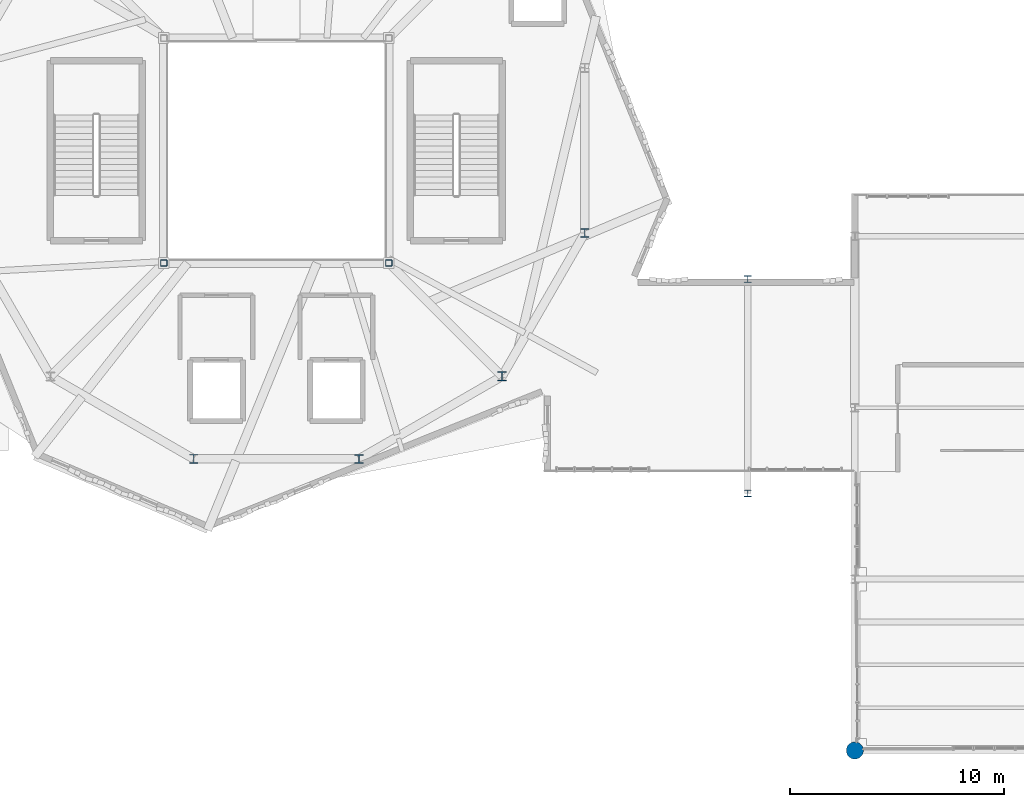
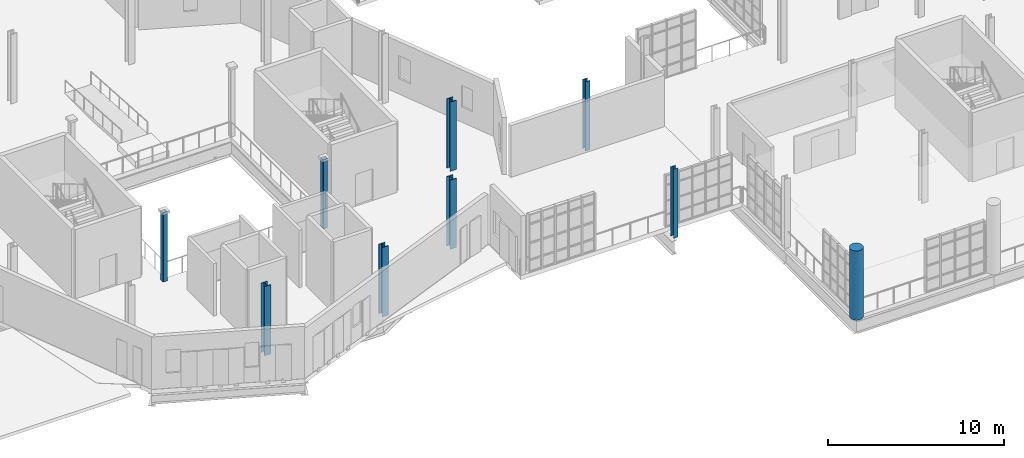
# One storey, part 5 of 122: 9 columns.
"""IFC4 building model written with IfcOpenShell, lengths in metres."""

from ifc_helpers import new_model, si_unit, direction, frame, origin, origin_2d, place, context, subcontext, project, spatial, hollow_rectangle, circle, i_section, extrude, material, material_profile, profile_set, type_object, element, save


model = new_model("IFC4")

# Units and contexts
model_context = context("Model", 3, precision=1e-05, world=origin(), true_north=direction((0.0, 1.0)))
body_context = subcontext(model_context, "Body", "Model", "MODEL_VIEW")
ifc_project = project(units=[si_unit("LENGTHUNIT", "METRE"), si_unit("AREAUNIT", "SQUARE_METRE"), si_unit("VOLUMEUNIT", "CUBIC_METRE"), si_unit("PLANEANGLEUNIT", "RADIAN"), si_unit("MASSUNIT", "GRAM", prefix="KILO"), si_unit("THERMODYNAMICTEMPERATUREUNIT", "KELVIN"), si_unit("POWERUNIT", "WATT")], contexts=[model_context])

# Site, building, storey
site_placement = place(None, origin())
site = spatial("IfcSite", under=ifc_project, at=site_placement, CompositionType="ELEMENT")
building_placement = place(site_placement, origin())
building = spatial("IfcBuilding", under=site, at=building_placement, Name="Zelmaris Science Centre", CompositionType="ELEMENT")
storey_placement = place(building_placement, frame((0.0, 0.0, 10.800048828125)))
storey = spatial("IfcBuildingStorey", under=building, at=storey_placement, Name="L02", CompositionType="ELEMENT", Elevation=10.800048828125)

# Columns
ifc_material_1 = material(Name="Steel ASTM A992 Grade 50", Category="steel")
ifc_material_profile_1 = material_profile(ifc_material_1, i_section(OverallWidth=0.412109375, OverallDepth=0.43408203125, WebThickness=0.035888671875, FlangeThickness=0.044189453125, FilletRadius=0.014892578125, at=origin_2d()), Name="W14X311")
ifc_profile_set_1 = profile_set([ifc_material_profile_1], Name="Steel ASTM A992 Grade 50")
column_type_1 = type_object("IfcColumnType", Name="Column C-01 W14X311", PredefinedType="COLUMN", material=ifc_profile_set_1)
for number, where, z_axis, x_axis, name in (
    (1, (77.1435546875, 21.607666015625, 0.0), (0.0, 0.0, 1.0), (1.0, 0.0, 0.0), "Column V2-MC09 L02"),
    (2, (91.535888671875, 25.464111328125, 0.0), (0.0, 0.0, 1.0), (1.0, 0.0, 0.0), "Column V2-MC11 L02"),
):
    element("IfcColumn", number, at=place(storey_placement, frame(where, z_axis=z_axis, x_axis=x_axis)), inside=storey, type_object=column_type_1, Name=name, PredefinedType="COLUMN", context=body_context, shape_type="SweptSolid", body=[
        extrude(i_section(OverallWidth=0.412109375, OverallDepth=0.43408203125, WebThickness=0.035888671875, FlangeThickness=0.044189453125, FilletRadius=0.014892578125, at=origin_2d()), origin(), (0.0, 0.0, 1.0), 4.800048828125),
    ])
ifc_material_profile_2 = material_profile(ifc_material_1, i_section(OverallWidth=0.406005859375, OverallDepth=0.4169921875, WebThickness=0.02978515625, FlangeThickness=0.04443359375, FilletRadius=0.014892578125, at=origin_2d()), Name="W14X257")
ifc_profile_set_2 = profile_set([ifc_material_profile_2], Name="Steel ASTM A992 Grade 50")
column_type_2 = type_object("IfcColumnType", Name="Column C-02 W14X257", PredefinedType="COLUMN", material=ifc_profile_set_2)
for number, where, z_axis, x_axis, name in (
    (3, (84.8564453125, 21.607666015625, 0.0), (0.0, 0.0, 1.0), (1.0, 0.0, 0.0), "Column V2-MC10 L02"),
    (4, (95.392333984375, 32.1435546875, 0.0), (0.0, 0.0, 1.0), (1.0, 0.0, 0.0), "Column V2-MC12 L02"),
):
    element("IfcColumn", number, at=place(storey_placement, frame(where, z_axis=z_axis, x_axis=x_axis)), inside=storey, type_object=column_type_2, Name=name, PredefinedType="COLUMN", context=body_context, shape_type="SweptSolid", body=[
        extrude(i_section(OverallWidth=0.406005859375, OverallDepth=0.4169921875, WebThickness=0.02978515625, FlangeThickness=0.04443359375, FilletRadius=0.014892578125, at=origin_2d()), origin(), (0.0, 0.0, 1.0), 4.800048828125),
    ])
ifc_material_profile_3 = material_profile(ifc_material_1, i_section(OverallWidth=0.306884765625, OverallDepth=0.31494140625, WebThickness=0.011962890625, FlangeThickness=0.018798828125, FilletRadius=0.012939453125, at=origin_2d()), Name="W12X79")
ifc_profile_set_3 = profile_set([ifc_material_profile_3], Name="Steel ASTM A992 Grade 50")
column_type_3 = type_object("IfcColumnType", Name="Column C-08 W12X79", PredefinedType="COLUMN", material=ifc_profile_set_3)
for number, where, z_axis, x_axis, name in (
    (5, (103.0, 20.0, 0.0), (0.0, 0.0, 1.0), (1.0, 0.0, 0.0), "Column LK-E-20 L02"),
    (6, (103.0, 30.0, 0.0), (0.0, 0.0, 1.0), (1.0, 0.0, 0.0), "Column LK-E-30 L02"),
):
    element("IfcColumn", number, at=place(storey_placement, frame(where, z_axis=z_axis, x_axis=x_axis)), inside=storey, type_object=column_type_3, Name=name, PredefinedType="COLUMN", context=body_context, shape_type="SweptSolid", body=[
        extrude(i_section(OverallWidth=0.306884765625, OverallDepth=0.31494140625, WebThickness=0.011962890625, FlangeThickness=0.018798828125, FilletRadius=0.012939453125, at=origin_2d()), origin(), (0.0, 0.0, 1.0), 4.800048828125),
    ])
ifc_material_2 = material(Name="Steel ASTM A500 Grade C", Category="steel")
ifc_material_profile_4 = material_profile(ifc_material_2, hollow_rectangle(XDim=0.3046875, YDim=0.3046875, WallThickness=0.0146484375, InnerFilletRadius=0.0146484375, OuterFilletRadius=0.029296875, at=origin_2d()), Name="HSS305X305X16")
ifc_profile_set_4 = profile_set([ifc_material_profile_4], Name="Steel ASTM A500 Grade C")
column_type_4 = type_object("IfcColumnType", Name="Column C-10 HSS305X305X16", PredefinedType="COLUMN", material=ifc_profile_set_4)
for number, where, z_axis, x_axis, name in (
    (7, (75.75, 30.75, 0.0), (0.0, 0.0, 1.0), (1.0, 0.0, 0.0), "Column V2-AC01 L02"),
    (8, (86.25, 30.75, 0.0), (0.0, 0.0, 1.0), (1.0, 0.0, 0.0), "Column V2-AC02 L02"),
):
    element("IfcColumn", number, at=place(storey_placement, frame(where, z_axis=z_axis, x_axis=x_axis)), inside=storey, type_object=column_type_4, Name=name, PredefinedType="COLUMN", context=body_context, shape_type="SweptSolid", body=[
        extrude(hollow_rectangle(XDim=0.3046875, YDim=0.3046875, WallThickness=0.0146484375, InnerFilletRadius=0.0146484375, OuterFilletRadius=0.029296875, at=origin_2d()), origin(), (0.0, 0.0, 1.0), 4.800048828125),
    ])
ifc_material_3 = material(Name="Yucatan limestone ashlar masonry", Category="masonry")
ifc_material_profile_5 = material_profile(ifc_material_3, circle(Radius=0.39990234375, at=origin_2d()), Name="COL-LIM-D800")
ifc_profile_set_5 = profile_set([ifc_material_profile_5], Name="Yucatan limestone ashlar masonry")
column_type_5 = type_object("IfcColumnType", Name="Column C-17 COL-LIM-D800", PredefinedType="COLUMN", material=ifc_profile_set_5)
column_placement = place(storey_placement, frame((108.0, 8.0, 0.0), z_axis=(0.0, 0.0, 1.0), x_axis=(1.0, 0.0, 0.0)))
element("IfcColumn", 9, at=column_placement, inside=storey, type_object=column_type_5, Name="Column V4-C-108-8 L02", PredefinedType="COLUMN", context=body_context, shape_type="SweptSolid", body=[
    extrude(circle(Radius=0.39990234375, at=origin_2d()), origin(), (0.0, 0.0, 1.0), 4.800048828125),
])

save(model, "model.ifc")
